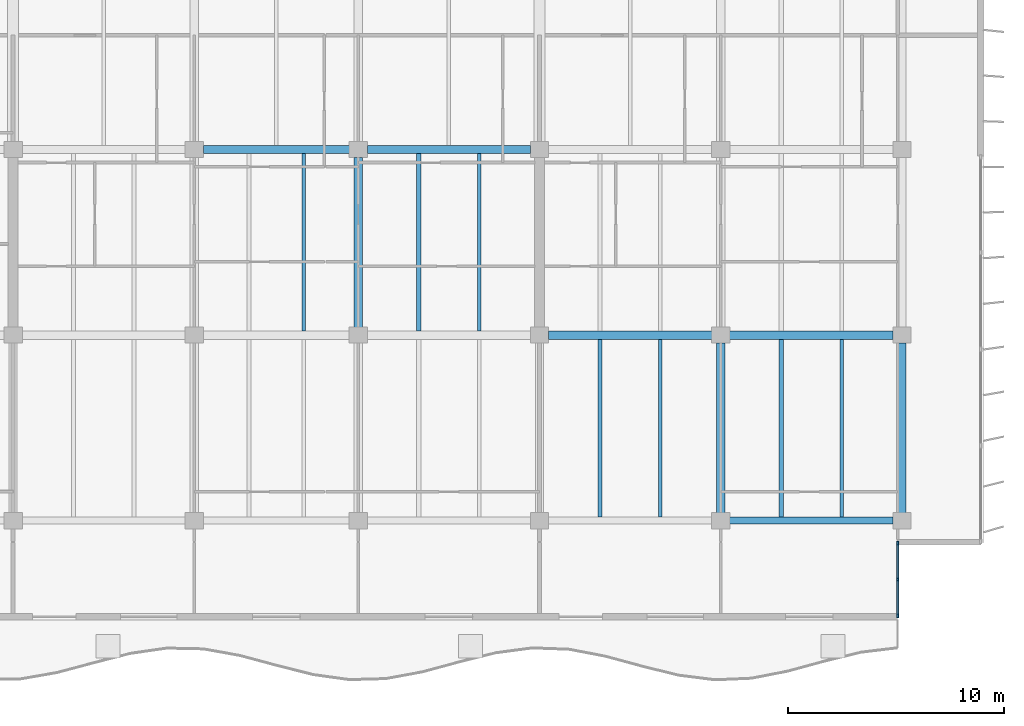
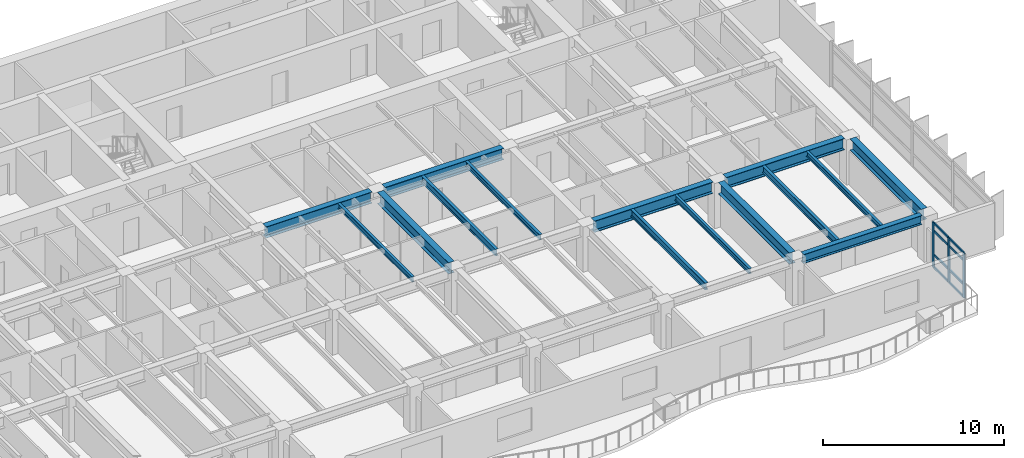
# One storey, part 4 of 17: 15 beams, 11 members, 1 element without a shape of its own.
"""IFC4 building model written with IfcOpenShell, lengths in metres."""

from ifc_helpers import new_model, si_unit, direction, frame, origin, origin_2d, place, context, subcontext, project, spatial, rectangle, i_section, extrude, material, layer, layer_set, material_profile, profile_set, type_object, element, aggregate, save


model = new_model("IFC4")

# Units and contexts
model_context = context("Model", 3, precision=1e-05, world=origin(), true_north=direction((0.0, 1.0)))
body_context = subcontext(model_context, "Body", "Model", "MODEL_VIEW")
ifc_project = project(units=[si_unit("LENGTHUNIT", "METRE"), si_unit("AREAUNIT", "SQUARE_METRE"), si_unit("VOLUMEUNIT", "CUBIC_METRE"), si_unit("PLANEANGLEUNIT", "RADIAN"), si_unit("MASSUNIT", "GRAM", prefix="KILO")], contexts=[model_context])

# Site, building, storey
site_placement = place(None, origin())
site = spatial("IfcSite", under=ifc_project, at=site_placement, CompositionType="ELEMENT")
building_placement = place(site_placement, origin())
building = spatial("IfcBuilding", under=site, at=building_placement, Name="Caelmar Bay Residences", CompositionType="ELEMENT")
storey_placement = place(building_placement, frame((0.0, 0.0, 201.60009765625)))
storey = spatial("IfcBuildingStorey", under=building, at=storey_placement, Name="L56", CompositionType="ELEMENT", Elevation=201.60009765625)

# Beams
ifc_material_1 = material(Name="Steel ASTM A992 Grade 50", Category="steel")
ifc_material_profile_1 = material_profile(ifc_material_1, i_section(OverallWidth=0.381103515625, OverallDepth=0.77197265625, WebThickness=0.0166015625, FlangeThickness=0.027099609375, FilletRadius=0.0166015625, at=origin_2d()), Name="W30X173")
ifc_profile_set_1 = profile_set([ifc_material_profile_1], Name="Steel ASTM A992 Grade 50")
beam_type_1 = type_object("IfcBeamType", Name="BM-GRD-W30X173", PredefinedType="BEAM", material=ifc_profile_set_1)
for number, where, z_axis, x_axis, name in (
    (1, (51.514892578125, 20.800048828125, 2.663818359375), (1.0, 0.0, 0.0), (0.0, 1.0, 0.0), "L56 East-West Girder Y=20.80 (51.1-59.5)"),
    (2, (59.9150390625, 20.800048828125, 2.663818359375), (1.0, 0.0, 0.0), (0.0, 1.0, 0.0), "L56 East-West Girder Y=20.80 (59.5-67.9)"),
):
    element("IfcBeam", number, at=place(storey_placement, frame(where, z_axis=z_axis, x_axis=x_axis)), inside=storey, type_object=beam_type_1, Name=name, PredefinedType="BEAM", context=body_context, shape_type="SweptSolid", body=[
        extrude(i_section(OverallWidth=0.381103515625, OverallDepth=0.77197265625, WebThickness=0.0166015625, FlangeThickness=0.027099609375, FilletRadius=0.0166015625, at=origin_2d()), origin(), (0.0, 0.0, 1.0), 7.570068359375),
    ])
beam_1_placement = place(storey_placement, frame((35.514892578125, 29.39990234375, 2.663818359375), z_axis=(1.0, 0.0, 0.0), x_axis=(0.0, 1.0, 0.0)))
element("IfcBeam", 3, at=beam_1_placement, inside=storey, type_object=beam_type_1, Name="L56 East-West Girder Y=29.40 (35.1-42.7)", PredefinedType="BEAM", context=body_context, shape_type="SweptSolid", body=[
    extrude(i_section(OverallWidth=0.381103515625, OverallDepth=0.77197265625, WebThickness=0.0166015625, FlangeThickness=0.027099609375, FilletRadius=0.0166015625, at=origin_2d()), origin(), (0.0, 0.0, 1.0), 6.77001953125),
])
beam_2_placement = place(storey_placement, frame((43.114990234375, 29.39990234375, 2.663818359375), z_axis=(1.0, 0.0, 0.0), x_axis=(0.0, 1.0, 0.0)))
element("IfcBeam", 4, at=beam_2_placement, inside=storey, type_object=beam_type_1, Name="L56 East-West Girder Y=29.40 (42.7-51.1)", PredefinedType="BEAM", context=body_context, shape_type="SweptSolid", body=[
    extrude(i_section(OverallWidth=0.381103515625, OverallDepth=0.77197265625, WebThickness=0.0166015625, FlangeThickness=0.027099609375, FilletRadius=0.0166015625, at=origin_2d()), origin(), (0.0, 0.0, 1.0), 7.570068359375),
])
beam_3_placement = place(storey_placement, frame((42.699951171875, 21.1650390625, 2.663818359375), z_axis=(0.0, 1.0, 0.0), x_axis=(-1.0, 0.0, 0.0)))
element("IfcBeam", 5, at=beam_3_placement, inside=storey, type_object=beam_type_1, Name="L56 North-South Girder X=42.70 (20.8-29.4)", PredefinedType="BEAM", context=body_context, shape_type="SweptSolid", body=[
    extrude(i_section(OverallWidth=0.381103515625, OverallDepth=0.77197265625, WebThickness=0.0166015625, FlangeThickness=0.027099609375, FilletRadius=0.0166015625, at=origin_2d()), origin(), (0.0, 0.0, 1.0), 7.869873046875),
])
for number, where, z_axis, x_axis, name in (
    (6, (59.5, 12.56494140625, 2.663818359375), (0.0, 1.0, 0.0), (-1.0, 0.0, 0.0), "L56 North-South Girder X=59.50 (12.2-20.8)"),
    (7, (67.89990234375, 12.56494140625, 2.663818359375), (0.0, 1.0, 0.0), (-1.0, 0.0, 0.0), "L56 North-South Girder X=67.90 (12.2-20.8)"),
):
    element("IfcBeam", number, at=place(storey_placement, frame(where, z_axis=z_axis, x_axis=x_axis)), inside=storey, type_object=beam_type_1, Name=name, PredefinedType="BEAM", context=body_context, shape_type="SweptSolid", body=[
        extrude(i_section(OverallWidth=0.381103515625, OverallDepth=0.77197265625, WebThickness=0.0166015625, FlangeThickness=0.027099609375, FilletRadius=0.0166015625, at=origin_2d()), origin(), (0.0, 0.0, 1.0), 7.8701171875),
    ])
ifc_material_profile_2 = material_profile(ifc_material_1, i_section(OverallWidth=0.1708984375, OverallDepth=0.35595703125, WebThickness=0.007080078125, FlangeThickness=0.01171875, FilletRadius=0.007568359375, at=origin_2d()), Name="W14X34")
ifc_profile_set_2 = profile_set([ifc_material_profile_2], Name="Steel ASTM A992 Grade 50")
beam_type_2 = type_object("IfcBeamType", Name="BM-JST-W14X34", PredefinedType="JOIST", material=ifc_profile_set_2)
for number, where, z_axis, x_axis, name in (
    (8, (56.699951171875, 12.362548828125, 2.871826171875), (0.0, 1.0, 0.0), (-1.0, 0.0, 0.0), "L56 Composite Floor Joist 12"),
    (9, (65.10009765625, 12.362548828125, 2.871826171875), (0.0, 1.0, 0.0), (-1.0, 0.0, 0.0), "L56 Composite Floor Joist 14"),
):
    element("IfcBeam", number, at=place(storey_placement, frame(where, z_axis=z_axis, x_axis=x_axis)), inside=storey, type_object=beam_type_2, Name=name, PredefinedType="JOIST", context=body_context, shape_type="SweptSolid", body=[
        extrude(i_section(OverallWidth=0.1708984375, OverallDepth=0.35595703125, WebThickness=0.007080078125, FlangeThickness=0.01171875, FilletRadius=0.007568359375, at=origin_2d()), origin(), (0.0, 0.0, 1.0), 8.2470703125),
    ])
for number, where, z_axis, x_axis, name in (
    (10, (40.166748046875, 20.990478515625, 2.871826171875), (0.0, 1.0, 0.0), (-1.0, 0.0, 0.0), "L56 Composite Floor Joist 22"),
    (11, (48.300048828125, 20.990478515625, 2.871826171875), (0.0, 1.0, 0.0), (-1.0, 0.0, 0.0), "L56 Composite Floor Joist 24"),
):
    element("IfcBeam", number, at=place(storey_placement, frame(where, z_axis=z_axis, x_axis=x_axis)), inside=storey, type_object=beam_type_2, Name=name, PredefinedType="JOIST", context=body_context, shape_type="SweptSolid", body=[
        extrude(i_section(OverallWidth=0.1708984375, OverallDepth=0.35595703125, WebThickness=0.007080078125, FlangeThickness=0.01171875, FilletRadius=0.007568359375, at=origin_2d()), origin(), (0.0, 0.0, 1.0), 8.218994140625),
    ])
ifc_material_profile_3 = material_profile(ifc_material_1, i_section(OverallWidth=0.19091796875, OverallDepth=0.45703125, WebThickness=0.009033203125, FlangeThickness=0.014404296875, FilletRadius=0.01025390625, at=origin_2d()), Name="W18X50")
ifc_profile_set_3 = profile_set([ifc_material_profile_3], Name="Steel ASTM A992 Grade 50")
beam_type_3 = type_object("IfcBeamType", Name="BM-JST-W18X50", PredefinedType="JOIST", material=ifc_profile_set_3)
for number, where, z_axis, x_axis, name in (
    (12, (53.89990234375, 12.362548828125, 2.8212890625), (0.0, 1.0, 0.0), (-1.0, 0.0, 0.0), "L56 Composite Floor Joist 11"),
    (13, (62.300048828125, 12.362548828125, 2.8212890625), (0.0, 1.0, 0.0), (-1.0, 0.0, 0.0), "L56 Composite Floor Joist 13"),
):
    element("IfcBeam", number, at=place(storey_placement, frame(where, z_axis=z_axis, x_axis=x_axis)), inside=storey, type_object=beam_type_3, Name=name, PredefinedType="JOIST", context=body_context, shape_type="SweptSolid", body=[
        extrude(i_section(OverallWidth=0.19091796875, OverallDepth=0.45703125, WebThickness=0.009033203125, FlangeThickness=0.014404296875, FilletRadius=0.01025390625, at=origin_2d()), origin(), (0.0, 0.0, 1.0), 8.2470703125),
    ])
beam_4_placement = place(storey_placement, frame((45.5, 20.990478515625, 2.8212890625), z_axis=(0.0, 1.0, 0.0), x_axis=(-1.0, 0.0, 0.0)))
element("IfcBeam", 14, at=beam_4_placement, inside=storey, type_object=beam_type_3, Name="L56 Composite Floor Joist 23", PredefinedType="JOIST", context=body_context, shape_type="SweptSolid", body=[
    extrude(i_section(OverallWidth=0.19091796875, OverallDepth=0.45703125, WebThickness=0.009033203125, FlangeThickness=0.014404296875, FilletRadius=0.01025390625, at=origin_2d()), origin(), (0.0, 0.0, 1.0), 8.218994140625),
])
ifc_material_profile_4 = material_profile(ifc_material_1, i_section(OverallWidth=0.324951171875, OverallDepth=0.616943359375, WebThickness=0.013916015625, FlangeThickness=0.021484375, FilletRadius=0.0126953125, at=origin_2d()), Name="W24X117")
ifc_profile_set_4 = profile_set([ifc_material_profile_4], Name="Steel ASTM A992 Grade 50")
beam_type_4 = type_object("IfcBeamType", Name="BM-SPN-W24X117", PredefinedType="SPANDREL", material=ifc_profile_set_4)
beam_5_placement = place(storey_placement, frame((59.9150390625, 12.199951171875, 2.741455078125), z_axis=(1.0, 0.0, 0.0), x_axis=(0.0, 1.0, 0.0)))
element("IfcBeam", 15, at=beam_5_placement, inside=storey, type_object=beam_type_4, Name="L56 East-West Girder Y=12.20 (59.5-67.9)", PredefinedType="SPANDREL", context=body_context, shape_type="SweptSolid", body=[
    extrude(i_section(OverallWidth=0.324951171875, OverallDepth=0.616943359375, WebThickness=0.013916015625, FlangeThickness=0.021484375, FilletRadius=0.0126953125, at=origin_2d()), origin(), (0.0, 0.0, 1.0), 7.570068359375),
])

# Curtain wall, members
ifc_material_2 = material(Name="Anodised bronze aluminium 6063-T6 and laminated glass", Category="aluminium")
ifc_layer = layer(ifc_material_2, 0.179931640625)
ifc_layer_set = layer_set([ifc_layer], Name="Anodised bronze aluminium 6063-T6 and laminated glass")
curtain_wall_type = type_object("IfcCurtainWallType", Name="CW6-NTC", PredefinedType="NOTDEFINED", material=ifc_layer_set)
curtain_wall_placement = place(storey_placement, origin())
curtain_wall = element("IfcCurtainWall", 16, at=curtain_wall_placement, inside=storey, type_object=curtain_wall_type, Name="CW6 curtain wall L56", PredefinedType="NOTDEFINED")
ifc_material_3 = material(Name="Anodised bronze aluminium 6063-T6", Category="aluminium")
ifc_material_profile_5 = material_profile(ifc_material_3, rectangle(XDim=0.080078125, YDim=0.179931640625, at=origin_2d()), Name="CWM-80X180")
ifc_profile_set_5 = profile_set([ifc_material_profile_5], Name="Anodised bronze aluminium 6063-T6")
member_type_1 = type_object("IfcMemberType", Name="CWM-180", PredefinedType="MULLION", material=ifc_profile_set_5)
member_1_placement = place(storey_placement, frame((67.699951171875, 7.7900390625, 0.0), z_axis=(0.0, 0.0, 1.0), x_axis=(-1.0, 0.0, 0.0)))
member_1 = element("IfcMember", 17, at=member_1_placement, type_object=member_type_1, Name="CW6 mullion 1", PredefinedType="MULLION", context=body_context, shape_type="SweptSolid", body=[
    extrude(rectangle(XDim=0.080078125, YDim=0.179931640625, at=origin_2d()), origin(), (0.0, 0.0, 1.0), 3.0498046875),
])
member_2_placement = place(storey_placement, frame((67.699951171875, 9.47509765625, 0.0), z_axis=(0.0, 0.0, 1.0), x_axis=(-1.0, 0.0, 0.0)))
member_2 = element("IfcMember", 18, at=member_2_placement, type_object=member_type_1, Name="CW6 mullion 2", PredefinedType="MULLION", context=body_context, shape_type="SweptSolid", body=[
    extrude(rectangle(XDim=0.080078125, YDim=0.179931640625, at=origin_2d()), origin(), (0.0, 0.0, 1.0), 3.0498046875),
])
member_3_placement = place(storey_placement, frame((67.699951171875, 11.159912109375, 0.0), z_axis=(0.0, 0.0, 1.0), x_axis=(-1.0, 0.0, 0.0)))
member_3 = element("IfcMember", 19, at=member_3_placement, type_object=member_type_1, Name="CW6 mullion 3", PredefinedType="MULLION", context=body_context, shape_type="SweptSolid", body=[
    extrude(rectangle(XDim=0.080078125, YDim=0.179931640625, at=origin_2d()), origin(), (0.0, 0.0, 1.0), 3.0498046875),
])
ifc_material_profile_6 = material_profile(ifc_material_3, rectangle(XDim=0.080078125, YDim=0.139892578125, at=origin_2d()), Name="CWT-80X140")
ifc_profile_set_6 = profile_set([ifc_material_profile_6], Name="Anodised bronze aluminium 6063-T6")
member_type_2 = type_object("IfcMemberType", Name="CWT-140", PredefinedType="NOTDEFINED", material=ifc_profile_set_6)
member_4_placement = place(storey_placement, frame((67.699951171875, 7.830078125, 0.039794921875), z_axis=(0.0, 1.0, 0.0), x_axis=(-1.0, 0.0, 0.0)))
member_4 = element("IfcMember", 20, at=member_4_placement, type_object=member_type_2, Name="CW6 transom 1.1", ObjectType="TRANSOM", PredefinedType="USERDEFINED", context=body_context, shape_type="SweptSolid", body=[
    extrude(rectangle(XDim=0.080078125, YDim=0.139892578125, at=origin_2d()), origin(), (0.0, 0.0, 1.0), 1.60498046875),
])
member_5_placement = place(storey_placement, frame((67.699951171875, 7.830078125, 0.89990234375), z_axis=(0.0, 1.0, 0.0), x_axis=(-1.0, 0.0, 0.0)))
member_5 = element("IfcMember", 21, at=member_5_placement, type_object=member_type_2, Name="CW6 transom 1.2", ObjectType="TRANSOM", PredefinedType="USERDEFINED", context=body_context, shape_type="SweptSolid", body=[
    extrude(rectangle(XDim=0.080078125, YDim=0.139892578125, at=origin_2d()), origin(), (0.0, 0.0, 1.0), 1.60498046875),
])
member_6_placement = place(storey_placement, frame((67.699951171875, 7.830078125, 2.5), z_axis=(0.0, 1.0, 0.0), x_axis=(-1.0, 0.0, 0.0)))
member_6 = element("IfcMember", 22, at=member_6_placement, type_object=member_type_2, Name="CW6 transom 1.3", ObjectType="TRANSOM", PredefinedType="USERDEFINED", context=body_context, shape_type="SweptSolid", body=[
    extrude(rectangle(XDim=0.080078125, YDim=0.139892578125, at=origin_2d()), origin(), (0.0, 0.0, 1.0), 1.60498046875),
])
member_7_placement = place(storey_placement, frame((67.699951171875, 7.830078125, 3.010009765625), z_axis=(0.0, 1.0, 0.0), x_axis=(-1.0, 0.0, 0.0)))
member_7 = element("IfcMember", 23, at=member_7_placement, type_object=member_type_2, Name="CW6 transom 1.4", ObjectType="TRANSOM", PredefinedType="USERDEFINED", context=body_context, shape_type="SweptSolid", body=[
    extrude(rectangle(XDim=0.080078125, YDim=0.139892578125, at=origin_2d()), origin(), (0.0, 0.0, 1.0), 1.60498046875),
])
member_8_placement = place(storey_placement, frame((67.699951171875, 9.514892578125, 0.039794921875), z_axis=(0.0, 1.0, 0.0), x_axis=(-1.0, 0.0, 0.0)))
member_8 = element("IfcMember", 24, at=member_8_placement, type_object=member_type_2, Name="CW6 transom 2.1", ObjectType="TRANSOM", PredefinedType="USERDEFINED", context=body_context, shape_type="SweptSolid", body=[
    extrude(rectangle(XDim=0.080078125, YDim=0.139892578125, at=origin_2d()), origin(), (0.0, 0.0, 1.0), 1.605224609375),
])
member_9_placement = place(storey_placement, frame((67.699951171875, 9.514892578125, 0.89990234375), z_axis=(0.0, 1.0, 0.0), x_axis=(-1.0, 0.0, 0.0)))
member_9 = element("IfcMember", 25, at=member_9_placement, type_object=member_type_2, Name="CW6 transom 2.2", ObjectType="TRANSOM", PredefinedType="USERDEFINED", context=body_context, shape_type="SweptSolid", body=[
    extrude(rectangle(XDim=0.080078125, YDim=0.139892578125, at=origin_2d()), origin(), (0.0, 0.0, 1.0), 1.605224609375),
])
member_10_placement = place(storey_placement, frame((67.699951171875, 9.514892578125, 2.5), z_axis=(0.0, 1.0, 0.0), x_axis=(-1.0, 0.0, 0.0)))
member_10 = element("IfcMember", 26, at=member_10_placement, type_object=member_type_2, Name="CW6 transom 2.3", ObjectType="TRANSOM", PredefinedType="USERDEFINED", context=body_context, shape_type="SweptSolid", body=[
    extrude(rectangle(XDim=0.080078125, YDim=0.139892578125, at=origin_2d()), origin(), (0.0, 0.0, 1.0), 1.605224609375),
])
member_11_placement = place(storey_placement, frame((67.699951171875, 9.514892578125, 3.010009765625), z_axis=(0.0, 1.0, 0.0), x_axis=(-1.0, 0.0, 0.0)))
member_11 = element("IfcMember", 27, at=member_11_placement, type_object=member_type_2, Name="CW6 transom 2.4", ObjectType="TRANSOM", PredefinedType="USERDEFINED", context=body_context, shape_type="SweptSolid", body=[
    extrude(rectangle(XDim=0.080078125, YDim=0.139892578125, at=origin_2d()), origin(), (0.0, 0.0, 1.0), 1.605224609375),
])
aggregate(curtain_wall, [member_1, member_2, member_3, member_4, member_5, member_6, member_7, member_8, member_9, member_10, member_11])

save(model, "model.ifc")
